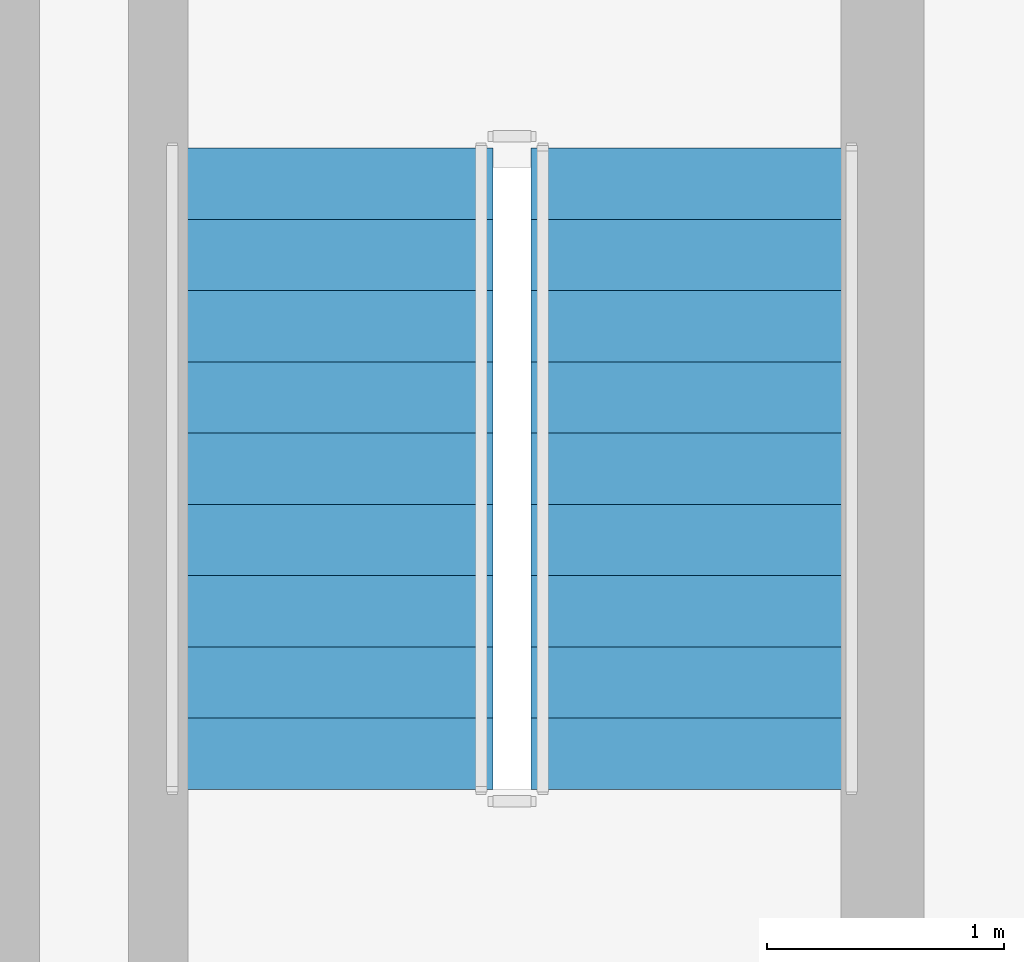
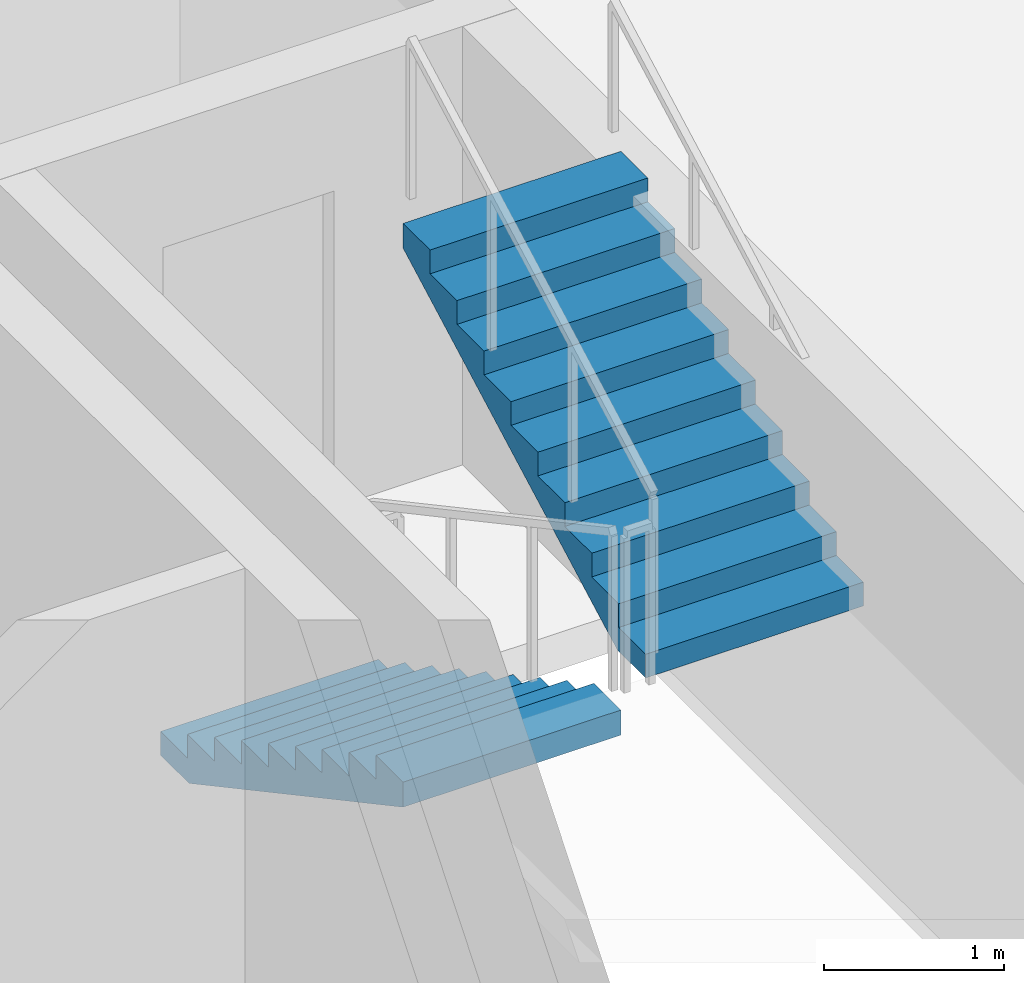
# One storey, part 6 of 11: 2 stair flights, 1 element without a shape of its own.
"""IFC4 building model written with IfcOpenShell, lengths in metres."""

from ifc_helpers import new_model, si_unit, direction, frame, origin, place, context, subcontext, project, spatial, polyline, outline, extrude, material, layer, layer_set, type_object, element, aggregate, save


model = new_model("IFC4")

# Units and contexts
model_context = context("Model", 3, precision=1e-05, world=origin(), true_north=direction((0.0, 1.0)))
body_context = subcontext(model_context, "Body", "Model", "MODEL_VIEW")
ifc_project = project(units=[si_unit("LENGTHUNIT", "METRE"), si_unit("AREAUNIT", "SQUARE_METRE"), si_unit("VOLUMEUNIT", "CUBIC_METRE"), si_unit("PLANEANGLEUNIT", "RADIAN"), si_unit("MASSUNIT", "GRAM", prefix="KILO")], contexts=[model_context])

# Site, building, storey
site_placement = place(None, origin())
site = spatial("IfcSite", under=ifc_project, at=site_placement, CompositionType="ELEMENT")
building_placement = place(site_placement, origin())
building = spatial("IfcBuilding", under=site, at=building_placement, Name="Zulmaris Gate Convention Tower", CompositionType="ELEMENT")
storey_placement = place(building_placement, frame((0.0, 0.0, 264.119873046875)))
storey = spatial("IfcBuildingStorey", under=building, at=storey_placement, Name="L70", CompositionType="ELEMENT", Elevation=264.119873046875)

# Stair, stair flights
ifc_material = material(Name="Concrete C45/55", Category="concrete")
stair_type = type_object("IfcStairType", Name="ST-CORE-DOGLEG", PredefinedType="HALF_TURN_STAIR", material=ifc_material)
stair_placement = place(storey_placement, origin())
stair = element("IfcStair", 1, at=stair_placement, inside=storey, type_object=stair_type, Name="L70 Core Exit Stair ST-2", PredefinedType="HALF_TURN_STAIR")
ifc_layer = layer(ifc_material, 0.14990234375, Name="Concrete C45/55")
ifc_layer_set = layer_set([ifc_layer], Name="Concrete C45/55")
stair_flight_type = type_object("IfcStairFlightType", Name="STF-RC150", PredefinedType="STRAIGHT", material=ifc_layer_set)
stair_flight_1_placement = place(storey_placement, frame((12.360107421875, -2.0, 0.0), z_axis=(0.0, 0.0, 1.0), x_axis=(0.0, -1.0, 0.0)))
stair_flight_1 = element("IfcStairFlight", 2, at=stair_flight_1_placement, type_object=stair_flight_type, Name="ST-2 flight 1", NumberOfRisers=10, NumberOfTreads=9, PredefinedType="STRAIGHT", RiserHeight=0.16151, TreadLength=0.3, context=body_context, shape_type="SweptSolid", body=[
    extrude(outline(polyline([(0.0, 0.0), (0.0, 0.16162109375), (0.300048828125, 0.16162109375), (0.300048828125, 0.322998046875), (0.60009765625, 0.322998046875), (0.60009765625, 0.484619140625), (0.89990234375, 0.484619140625), (0.89990234375, 0.64599609375), (1.199951171875, 0.64599609375), (1.199951171875, 0.8076171875), (1.5, 0.8076171875), (1.5, 0.968994140625), (1.800048828125, 0.968994140625), (1.800048828125, 1.130615234375), (2.10009765625, 1.130615234375), (2.10009765625, 1.2919921875), (2.39990234375, 1.2919921875), (2.39990234375, 1.45361328125), (2.699951171875, 1.45361328125), (2.699951171875, 1.614990234375), (2.699951171875, 1.283447265625), (0.316162109375, 0.0), (0.0, 0.0)])), frame((0.0, 0.699951171875, 0.0), z_axis=(0.0, -1.0, 0.0), x_axis=(1.0, 0.0, 0.0)), (0.0, 0.0, 1.0), 1.39990234375),
])
stair_flight_2_placement = place(storey_placement, frame((13.919921875, -4.699951171875, 1.615234375), z_axis=(0.0, 0.0, 1.0), x_axis=(0.0, 1.0, 0.0)))
stair_flight_2 = element("IfcStairFlight", 3, at=stair_flight_2_placement, type_object=stair_flight_type, Name="ST-2 flight 2", NumberOfRisers=10, NumberOfTreads=9, PredefinedType="STRAIGHT", RiserHeight=0.16151, TreadLength=0.3, context=body_context, shape_type="SweptSolid", body=[
    extrude(outline(polyline([(0.0, 0.0), (0.0, 0.16162109375), (0.300048828125, 0.16162109375), (0.300048828125, 0.322998046875), (0.60009765625, 0.322998046875), (0.60009765625, 0.484619140625), (0.89990234375, 0.484619140625), (0.89990234375, 0.64599609375), (1.199951171875, 0.64599609375), (1.199951171875, 0.8076171875), (1.5, 0.8076171875), (1.5, 0.968994140625), (1.800048828125, 0.968994140625), (1.800048828125, 1.130615234375), (2.10009765625, 1.130615234375), (2.10009765625, 1.2919921875), (2.39990234375, 1.2919921875), (2.39990234375, 1.45361328125), (2.699951171875, 1.45361328125), (2.699951171875, 1.614990234375), (2.699951171875, 1.283447265625), (0.316162109375, 0.0), (0.0, 0.0)])), frame((0.0, 0.699951171875, 0.0), z_axis=(0.0, -1.0, 0.0), x_axis=(1.0, 0.0, 0.0)), (0.0, 0.0, 1.0), 1.39990234375),
])
aggregate(stair, [stair_flight_1, stair_flight_2])

save(model, "model.ifc")
